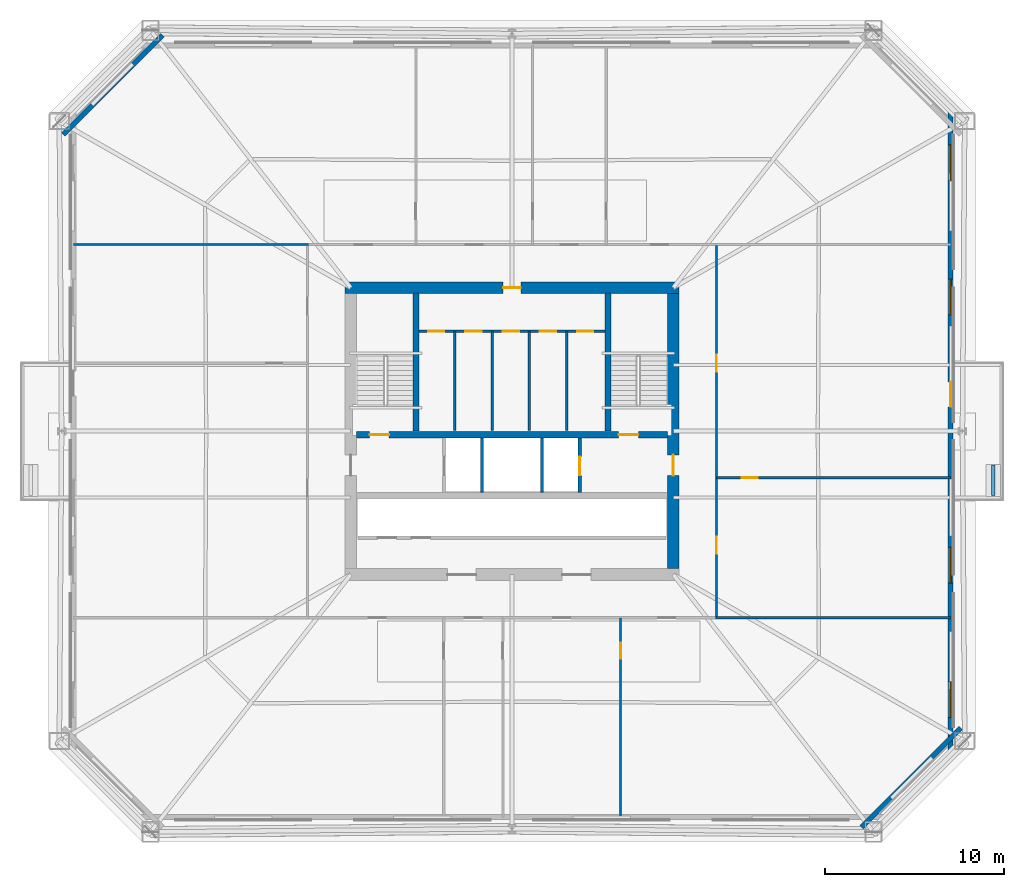
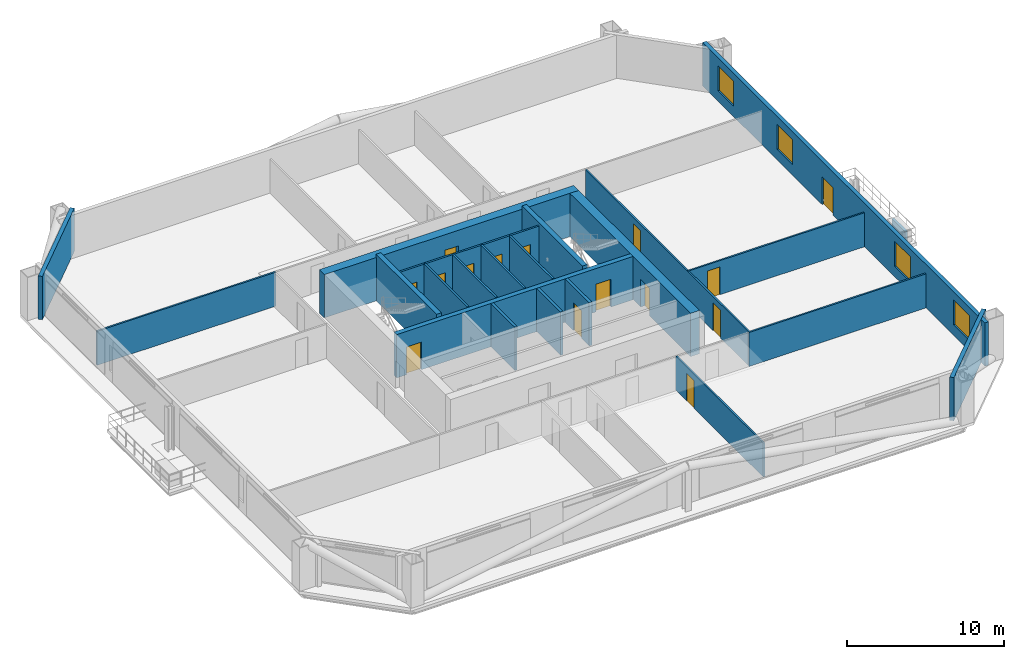
# One storey, part 6 of 10: 22 walls, 15 doors, 4 windows, 19 openings.
"""IFC4 building model written with IfcOpenShell, lengths in metres."""

from ifc_helpers import new_model, si_unit, direction, frame, frame_2d, origin, place, context, subcontext, project, spatial, rectangle, extrude, material, layer, layer_set, type_object, element, fill, save


model = new_model("IFC4")

# Units and contexts
model_context = context("Model", 3, precision=1e-05, world=origin(), true_north=direction((0.0, 1.0)))
body_context = subcontext(model_context, "Body", "Model", "MODEL_VIEW")
ifc_project = project(units=[si_unit("LENGTHUNIT", "METRE"), si_unit("AREAUNIT", "SQUARE_METRE"), si_unit("VOLUMEUNIT", "CUBIC_METRE"), si_unit("PLANEANGLEUNIT", "RADIAN"), si_unit("MASSUNIT", "GRAM", prefix="KILO")], contexts=[model_context])

# Site, building, storey
site_placement = place(None, origin())
site = spatial("IfcSite", under=ifc_project, at=site_placement, CompositionType="ELEMENT")
building_placement = place(site_placement, origin())
building = spatial("IfcBuilding", under=site, at=building_placement, Name="Caelvoria Tower", CompositionType="ELEMENT")
storey_placement = place(building_placement, frame((0.0, 0.0, 60.39990234375)))
storey = spatial("IfcBuildingStorey", under=building, at=storey_placement, Name="L15", CompositionType="ELEMENT", Elevation=60.39990234375)

# Wall
ifc_material_1 = material(Name="Bronze-Clad Concrete C40/50", Category="concrete")
ifc_layer_1 = layer(ifc_material_1, 0.179931640625, Name="Bronze-Clad Concrete C40/50")
ifc_layer_set_1 = layer_set([ifc_layer_1], Name="Architectural Planter Kerb Wall 180 - Bronze-Clad Concrete C40/50")
wall_type_1 = type_object("IfcWallType", Name="Architectural Planter Kerb Wall 180", PredefinedType="PARAPET", material=ifc_layer_set_1)
wall_1_placement = place(storey_placement, frame((72.85009765625, 28.39990234375, 0.0), z_axis=(0.0, 0.0, 1.0), x_axis=(0.0, 1.0, 0.0)))
element("IfcWall", 1, at=wall_1_placement, inside=storey, type_object=wall_type_1, Name="Tree Balcony Planter Kerb PLANTER TB-L15-E", PredefinedType="PARAPET", context=body_context, shape_type="SweptSolid", body=[
    extrude(rectangle(XDim=1.7001953125, YDim=0.179931640625, at=frame_2d((0.85009765625, 0.0))), origin(), (0.0, 0.0, 1.0), 0.880126953125),
])

# Wall, openings, doors
ifc_material_2 = material(Name="Concrete C50/60", Category="concrete")
ifc_layer_2 = layer(ifc_material_2, 0.35009765625, Name="Concrete C50/60")
ifc_layer_set_2 = layer_set([ifc_layer_2], Name="Core Internal Shear Wall 350 - Concrete C50/60")
wall_type_2 = type_object("IfcWallType", Name="Core Internal Shear Wall 350", PredefinedType="SHEAR", material=ifc_layer_set_2)
wall_2_placement = place(storey_placement, frame((37.324951171875, 31.800048828125, 0.0), z_axis=(0.0, 0.0, 1.0), x_axis=(1.0, 0.0, 0.0)))
wall_2 = element("IfcWall", 2, at=wall_2_placement, inside=storey, type_object=wall_type_2, Name="Core Shear Wall L15 M1", PredefinedType="SHEAR", context=body_context, shape_type="SweptSolid", body=[
    extrude(rectangle(XDim=17.35009765625, YDim=0.35009765625, at=frame_2d((8.675048828125, 0.0))), origin(), (0.0, 0.0, 1.0), 3.360107421875),
])
opening_1_placement = place(wall_2_placement, frame((0.72509765625, 0.0, 0.0)))
opening_1 = element("IfcOpeningElement", 3, at=opening_1_placement, cuts=wall_2, Name="Opening ID-01", PredefinedType="OPENING", context=body_context, shape_type="SweptSolid", body=[
    extrude(rectangle(XDim=1.10009765625, YDim=2.14990234375, at=frame_2d((0.550048828125, 1.074951171875))), frame((0.0, 0.18505859375, 0.0), z_axis=(0.0, -1.0, 0.0), x_axis=(1.0, 0.0, 0.0)), (0.0, 0.0, 1.0), 0.3701171875),
])
opening_2_placement = place(wall_2_placement, frame((14.625, 0.0, 0.0)))
opening_2 = element("IfcOpeningElement", 4, at=opening_2_placement, cuts=wall_2, Name="Opening ID-01", PredefinedType="OPENING", context=body_context, shape_type="SweptSolid", body=[
    extrude(rectangle(XDim=1.10009765625, YDim=2.14990234375, at=frame_2d((0.550048828125, 1.074951171875))), frame((0.0, 0.18505859375, 0.0), z_axis=(0.0, -1.0, 0.0), x_axis=(1.0, 0.0, 0.0)), (0.0, 0.0, 1.0), 0.3701171875),
])
ifc_material_3 = material(Name="Painted Hollow Steel Fire Door", Category="steel")
door_type_1 = type_object("IfcDoorType", Name="Fire Door FD90S 1100x2150", OperationType="NOTDEFINED", PredefinedType="DOOR", material=ifc_material_3)
door_1_placement = place(opening_1_placement, origin())
door_1 = element("IfcDoor", 5, at=door_1_placement, inside=storey, type_object=door_type_1, Name="Core Door DR-L15-ST1", OperationType="SINGLE_SWING_LEFT", OverallHeight=2.14990234375, OverallWidth=1.10009765625, PredefinedType="DOOR", context=body_context, shape_type="SweptSolid", body=[
    extrude(rectangle(XDim=1.10009765625, YDim=2.14990234375, at=frame_2d((0.550048828125, 1.074951171875))), frame((0.0, 0.02490234375, 0.0), z_axis=(0.0, -1.0, 0.0), x_axis=(1.0, 0.0, 0.0)), (0.0, 0.0, 1.0), 0.050048828125),
])
fill(opening_1, door_1)
door_2_placement = place(opening_2_placement, origin())
door_2 = element("IfcDoor", 6, at=door_2_placement, inside=storey, type_object=door_type_1, Name="Core Door DR-L15-ST2", OperationType="SINGLE_SWING_RIGHT", OverallHeight=2.14990234375, OverallWidth=1.10009765625, PredefinedType="DOOR", context=body_context, shape_type="SweptSolid", body=[
    extrude(rectangle(XDim=1.10009765625, YDim=2.14990234375, at=frame_2d((0.550048828125, 1.074951171875))), frame((0.0, 0.02490234375, 0.0), z_axis=(0.0, -1.0, 0.0), x_axis=(1.0, 0.0, 0.0)), (0.0, 0.0, 1.0), 0.050048828125),
])
fill(opening_2, door_2)

# Walls
for number, where, z_axis, x_axis, name in (
    (7, (40.64990234375, 32.0, 0.0), (0.0, 0.0, 1.0), (0.0, 1.0, 0.0), "Interior Partition IW-L15-ST1E"),
    (8, (51.35009765625, 32.0, 0.0), (0.0, 0.0, 1.0), (0.0, 1.0, 0.0), "Interior Partition IW-L15-ST2W"),
):
    element("IfcWall", number, at=place(storey_placement, frame(where, z_axis=z_axis, x_axis=x_axis)), inside=storey, type_object=wall_type_2, Name=name, PredefinedType="SHEAR", context=body_context, shape_type="SweptSolid", body=[
        extrude(rectangle(XDim=7.699951171875, YDim=0.35009765625, at=frame_2d((3.85009765625, 0.0))), origin(), (0.0, 0.0, 1.0), 3.60009765625),
    ])
ifc_material_4 = material(Name="Moisture-Resistant Gypsum on Steel Stud", Category="steel")
ifc_layer_3 = layer(ifc_material_4, 0.139892578125, Name="Moisture-Resistant Gypsum on Steel Stud")
ifc_layer_set_3 = layer_set([ifc_layer_3], Name="Core Sanitary Acoustic Partition Wall 140 - Moisture-Resistant Gypsum on Steel Stud")
wall_type_3 = type_object("IfcWallType", Name="Core Sanitary Acoustic Partition Wall 140", PredefinedType="PARTITIONING", material=ifc_layer_set_3)
for number, where, z_axis, x_axis, name in (
    (9, (42.81005859375, 32.050048828125, 0.0), (0.0, 0.0, 1.0), (0.0, 1.0, 0.0), "Interior Partition IW-L15-C1V0"),
    (10, (44.889892578125, 32.050048828125, 0.0), (0.0, 0.0, 1.0), (0.0, 1.0, 0.0), "Interior Partition IW-L15-C1V1"),
    (11, (46.969970703125, 32.050048828125, 0.0), (0.0, 0.0, 1.0), (0.0, 1.0, 0.0), "Interior Partition IW-L15-C1V2"),
    (12, (49.050048828125, 32.050048828125, 0.0), (0.0, 0.0, 1.0), (0.0, 1.0, 0.0), "Interior Partition IW-L15-C1V3"),
):
    element("IfcWall", number, at=place(storey_placement, frame(where, z_axis=z_axis, x_axis=x_axis)), inside=storey, type_object=wall_type_3, Name=name, PredefinedType="PARTITIONING", context=body_context, shape_type="SweptSolid", body=[
        extrude(rectangle(XDim=5.5, YDim=0.139892578125, at=frame_2d((2.75, 0.0))), origin(), (0.0, 0.0, 1.0), 3.360107421875),
    ])

# Wall, openings, doors
wall_3_placement = place(storey_placement, frame((40.800048828125, 37.580078125, 0.0), z_axis=(0.0, 0.0, 1.0), x_axis=(1.0, 0.0, 0.0)))
wall_3 = element("IfcWall", 13, at=wall_3_placement, inside=storey, type_object=wall_type_3, Name="Interior Partition IW-L15-C1H", PredefinedType="PARTITIONING", context=body_context, shape_type="SweptSolid", body=[
    extrude(rectangle(XDim=10.39990234375, YDim=0.139892578125, at=frame_2d((5.199951171875, 0.0))), origin(), (0.0, 0.0, 1.0), 3.360107421875),
])
opening_3_placement = place(wall_3_placement, frame((0.52001953125, 0.0, 0.0)))
opening_3 = element("IfcOpeningElement", 14, at=opening_3_placement, cuts=wall_3, Name="Opening ID-06", PredefinedType="OPENING", context=body_context, shape_type="SweptSolid", body=[
    extrude(rectangle(XDim=0.89990234375, YDim=2.14990234375, at=frame_2d((0.449951171875, 1.074951171875))), frame((0.0, 0.079833984375, 0.0), z_axis=(0.0, -1.0, 0.0), x_axis=(1.0, 0.0, 0.0)), (0.0, 0.0, 1.0), 0.159912109375),
])
opening_4_placement = place(wall_3_placement, frame((2.60009765625, 0.0, 0.0)))
opening_4 = element("IfcOpeningElement", 15, at=opening_4_placement, cuts=wall_3, Name="Opening ID-06", PredefinedType="OPENING", context=body_context, shape_type="SweptSolid", body=[
    extrude(rectangle(XDim=0.89990234375, YDim=2.14990234375, at=frame_2d((0.449951171875, 1.074951171875))), frame((0.0, 0.079833984375, 0.0), z_axis=(0.0, -1.0, 0.0), x_axis=(1.0, 0.0, 0.0)), (0.0, 0.0, 1.0), 0.159912109375),
])
opening_5_placement = place(wall_3_placement, frame((4.679931640625, 0.0, 0.0)))
opening_5 = element("IfcOpeningElement", 16, at=opening_5_placement, cuts=wall_3, Name="Opening ID-07", PredefinedType="OPENING", context=body_context, shape_type="SweptSolid", body=[
    extrude(rectangle(XDim=0.919921875, YDim=2.14990234375, at=frame_2d((0.4599609375, 1.074951171875))), frame((0.0, 0.079833984375, 0.0), z_axis=(0.0, -1.0, 0.0), x_axis=(1.0, 0.0, 0.0)), (0.0, 0.0, 1.0), 0.159912109375),
])
opening_6_placement = place(wall_3_placement, frame((6.760009765625, 0.0, 0.0)))
opening_6 = element("IfcOpeningElement", 17, at=opening_6_placement, cuts=wall_3, Name="Opening ID-06", PredefinedType="OPENING", context=body_context, shape_type="SweptSolid", body=[
    extrude(rectangle(XDim=0.89990234375, YDim=2.14990234375, at=frame_2d((0.449951171875, 1.074951171875))), frame((0.0, 0.079833984375, 0.0), z_axis=(0.0, -1.0, 0.0), x_axis=(1.0, 0.0, 0.0)), (0.0, 0.0, 1.0), 0.159912109375),
])
opening_7_placement = place(wall_3_placement, frame((8.840087890625, 0.0, 0.0)))
opening_7 = element("IfcOpeningElement", 18, at=opening_7_placement, cuts=wall_3, Name="Opening ID-06", PredefinedType="OPENING", context=body_context, shape_type="SweptSolid", body=[
    extrude(rectangle(XDim=0.89990234375, YDim=2.14990234375, at=frame_2d((0.449951171875, 1.074951171875))), frame((0.0, 0.079833984375, 0.0), z_axis=(0.0, -1.0, 0.0), x_axis=(1.0, 0.0, 0.0)), (0.0, 0.0, 1.0), 0.159912109375),
])
ifc_material_5 = material(Name="Engineered Andean Oak Accessible Door", Category="wood")
door_type_2 = type_object("IfcDoorType", Name="Accessible WC Door 950x2150", OperationType="NOTDEFINED", PredefinedType="DOOR", material=ifc_material_5)
door_3_placement = place(opening_5_placement, origin())
door_3 = element("IfcDoor", 19, at=door_3_placement, inside=storey, type_object=door_type_2, Name="Interior Door DR-L15-C1-3", OperationType="SINGLE_SWING_LEFT", OverallHeight=2.14990234375, OverallWidth=0.919921875, PredefinedType="DOOR", context=body_context, shape_type="SweptSolid", body=[
    extrude(rectangle(XDim=0.919921875, YDim=2.14990234375, at=frame_2d((0.4599609375, 1.074951171875))), frame((0.0, 0.02490234375, 0.0), z_axis=(0.0, -1.0, 0.0), x_axis=(1.0, 0.0, 0.0)), (0.0, 0.0, 1.0), 0.050048828125),
])
fill(opening_5, door_3)
ifc_material_6 = material(Name="Engineered Andean Oak Veneer Door", Category="wood")
door_type_3 = type_object("IfcDoorType", Name="Interior Timber Door 900x2150", OperationType="NOTDEFINED", PredefinedType="DOOR", material=ifc_material_6)
door_4_placement = place(opening_3_placement, origin())
door_4 = element("IfcDoor", 20, at=door_4_placement, inside=storey, type_object=door_type_3, Name="Interior Door DR-L15-C1-1", OperationType="SINGLE_SWING_LEFT", OverallHeight=2.14990234375, OverallWidth=0.89990234375, PredefinedType="DOOR", context=body_context, shape_type="SweptSolid", body=[
    extrude(rectangle(XDim=0.89990234375, YDim=2.14990234375, at=frame_2d((0.449951171875, 1.074951171875))), frame((0.0, 0.02490234375, 0.0), z_axis=(0.0, -1.0, 0.0), x_axis=(1.0, 0.0, 0.0)), (0.0, 0.0, 1.0), 0.050048828125),
])
fill(opening_3, door_4)
door_5_placement = place(opening_4_placement, origin())
door_5 = element("IfcDoor", 21, at=door_5_placement, inside=storey, type_object=door_type_3, Name="Interior Door DR-L15-C1-2", OperationType="SINGLE_SWING_RIGHT", OverallHeight=2.14990234375, OverallWidth=0.89990234375, PredefinedType="DOOR", context=body_context, shape_type="SweptSolid", body=[
    extrude(rectangle(XDim=0.89990234375, YDim=2.14990234375, at=frame_2d((0.449951171875, 1.074951171875))), frame((0.0, 0.02490234375, 0.0), z_axis=(0.0, -1.0, 0.0), x_axis=(1.0, 0.0, 0.0)), (0.0, 0.0, 1.0), 0.050048828125),
])
fill(opening_4, door_5)
door_6_placement = place(opening_6_placement, origin())
door_6 = element("IfcDoor", 22, at=door_6_placement, inside=storey, type_object=door_type_3, Name="Interior Door DR-L15-C1-4", OperationType="SINGLE_SWING_RIGHT", OverallHeight=2.14990234375, OverallWidth=0.89990234375, PredefinedType="DOOR", context=body_context, shape_type="SweptSolid", body=[
    extrude(rectangle(XDim=0.89990234375, YDim=2.14990234375, at=frame_2d((0.449951171875, 1.074951171875))), frame((0.0, 0.02490234375, 0.0), z_axis=(0.0, -1.0, 0.0), x_axis=(1.0, 0.0, 0.0)), (0.0, 0.0, 1.0), 0.050048828125),
])
fill(opening_6, door_6)
door_7_placement = place(opening_7_placement, origin())
door_7 = element("IfcDoor", 23, at=door_7_placement, inside=storey, type_object=door_type_3, Name="Interior Door DR-L15-C1-5", OperationType="SINGLE_SWING_LEFT", OverallHeight=2.14990234375, OverallWidth=0.89990234375, PredefinedType="DOOR", context=body_context, shape_type="SweptSolid", body=[
    extrude(rectangle(XDim=0.89990234375, YDim=2.14990234375, at=frame_2d((0.449951171875, 1.074951171875))), frame((0.0, 0.02490234375, 0.0), z_axis=(0.0, -1.0, 0.0), x_axis=(1.0, 0.0, 0.0)), (0.0, 0.0, 1.0), 0.050048828125),
])
fill(opening_7, door_7)

# Wall
ifc_material_7 = material(Name="Precast Concrete C40/50 with Bronze Cladding", Category="concrete")
ifc_layer_4 = layer(ifc_material_7, 0.280029296875, Name="Precast Concrete C40/50 with Bronze Cladding")
ifc_layer_set_4 = layer_set([ifc_layer_4], Name="Exterior Precast Concrete C40/50 Bronze-Clad Facade Wall 280 - Precast Concrete C40/50 with Bronze Cladding")
wall_type_4 = type_object("IfcWallType", Name="Exterior Precast Concrete C40/50 Bronze-Clad Facade Wall 280", PredefinedType="STANDARD", material=ifc_layer_set_4)
wall_4_placement = place(storey_placement, frame((65.50439453125, 9.906005859375, 0.0), z_axis=(0.0, 0.0, 1.0), x_axis=(0.707106781187, 0.707106781187, 0.0)))
element("IfcWall", 24, at=wall_4_placement, inside=storey, type_object=wall_type_4, Name="Exterior Facade Wall L15-E1", PredefinedType="STANDARD", context=body_context, shape_type="SweptSolid", body=[
    extrude(rectangle(XDim=7.834228515625, YDim=0.280029296875, at=frame_2d((3.9169921875, 0.0))), origin(), (0.0, 0.0, 1.0), 3.360107421875),
])

# Wall, openings, windows, door
wall_5_placement = place(storey_placement, frame((70.469970703125, 14.06005859375, 0.0), z_axis=(0.0, 0.0, 1.0), x_axis=(0.0, 1.0, 0.0)))
wall_5 = element("IfcWall", 25, at=wall_5_placement, inside=storey, type_object=wall_type_4, Name="Exterior Facade Wall L15-E2", PredefinedType="STANDARD", context=body_context, shape_type="SweptSolid", body=[
    extrude(rectangle(XDim=35.8798828125, YDim=0.280029296875, at=frame_2d((17.93994140625, 0.0))), origin(), (0.0, 0.0, 1.0), 3.360107421875),
])
opening_8_placement = place(wall_5_placement, frame((19.2900390625, 0.0, 0.0)))
opening_8 = element("IfcOpeningElement", 26, at=opening_8_placement, cuts=wall_5, Name="Opening ED-04", PredefinedType="OPENING", context=body_context, shape_type="SweptSolid", body=[
    extrude(rectangle(XDim=1.39990234375, YDim=2.14990234375, at=frame_2d((0.699951171875, 1.074951171875))), frame((0.0, 0.14990234375, 0.0), z_axis=(0.0, -1.0, 0.0), x_axis=(1.0, 0.0, 0.0)), (0.0, 0.0, 1.0), 0.300048828125),
])
opening_9_placement = place(wall_5_placement, frame((1.97119140625, 0.0, 0.800048828125)))
opening_9 = element("IfcOpeningElement", 27, at=opening_9_placement, cuts=wall_5, Name="Opening WN-01", PredefinedType="OPENING", context=body_context, shape_type="SweptSolid", body=[
    extrude(rectangle(XDim=2.0, YDim=1.949951171875, at=frame_2d((1.0, 0.97509765625))), frame((0.0, 0.14990234375, 0.0), z_axis=(0.0, -1.0, 0.0), x_axis=(1.0, 0.0, 0.0)), (0.0, 0.0, 1.0), 0.300048828125),
])
opening_10_placement = place(wall_5_placement, frame((9.45556640625, 0.0, 0.800048828125)))
opening_10 = element("IfcOpeningElement", 28, at=opening_10_placement, cuts=wall_5, Name="Opening WN-01", PredefinedType="OPENING", context=body_context, shape_type="SweptSolid", body=[
    extrude(rectangle(XDim=2.0, YDim=1.949951171875, at=frame_2d((1.0, 0.97509765625))), frame((0.0, 0.14990234375, 0.0), z_axis=(0.0, -1.0, 0.0), x_axis=(1.0, 0.0, 0.0)), (0.0, 0.0, 1.0), 0.300048828125),
])
opening_11_placement = place(wall_5_placement, frame((24.42431640625, 0.0, 0.800048828125)))
opening_11 = element("IfcOpeningElement", 29, at=opening_11_placement, cuts=wall_5, Name="Opening WN-01", PredefinedType="OPENING", context=body_context, shape_type="SweptSolid", body=[
    extrude(rectangle(XDim=2.0, YDim=1.949951171875, at=frame_2d((1.0, 0.97509765625))), frame((0.0, 0.14990234375, 0.0), z_axis=(0.0, -1.0, 0.0), x_axis=(1.0, 0.0, 0.0)), (0.0, 0.0, 1.0), 0.300048828125),
])
opening_12_placement = place(wall_5_placement, frame((31.908935546875, 0.0, 0.800048828125)))
opening_12 = element("IfcOpeningElement", 30, at=opening_12_placement, cuts=wall_5, Name="Opening WN-01", PredefinedType="OPENING", context=body_context, shape_type="SweptSolid", body=[
    extrude(rectangle(XDim=2.0, YDim=1.949951171875, at=frame_2d((1.0, 0.97509765625))), frame((0.0, 0.14990234375, 0.0), z_axis=(0.0, -1.0, 0.0), x_axis=(1.0, 0.0, 0.0)), (0.0, 0.0, 1.0), 0.300048828125),
])
ifc_material_8 = material(Name="Low-E Tinted Glass in Bronze Aluminium Frame", Category="aluminium")
window_type = type_object("IfcWindowType", Name="Tower Office Vision Window 2000x1950", PartitioningType="SINGLE_PANEL", PredefinedType="WINDOW", material=ifc_material_8)
window_1_placement = place(opening_9_placement, origin())
window_1 = element("IfcWindow", 31, at=window_1_placement, inside=storey, type_object=window_type, Name="Facade Window L15-E2-00", OverallHeight=1.949951171875, OverallWidth=2.0, PartitioningType="SINGLE_PANEL", PredefinedType="WINDOW", context=body_context, shape_type="SweptSolid", body=[
    extrude(rectangle(XDim=2.0, YDim=1.949951171875, at=frame_2d((1.0, 0.97509765625))), frame((0.0, 0.030029296875, 0.0), z_axis=(0.0, -1.0, 0.0), x_axis=(1.0, 0.0, 0.0)), (0.0, 0.0, 1.0), 0.06005859375),
])
fill(opening_9, window_1)
window_2_placement = place(opening_10_placement, origin())
window_2 = element("IfcWindow", 32, at=window_2_placement, inside=storey, type_object=window_type, Name="Facade Window L15-E2-02", OverallHeight=1.949951171875, OverallWidth=2.0, PartitioningType="SINGLE_PANEL", PredefinedType="WINDOW", context=body_context, shape_type="SweptSolid", body=[
    extrude(rectangle(XDim=2.0, YDim=1.949951171875, at=frame_2d((1.0, 0.97509765625))), frame((0.0, 0.030029296875, 0.0), z_axis=(0.0, -1.0, 0.0), x_axis=(1.0, 0.0, 0.0)), (0.0, 0.0, 1.0), 0.06005859375),
])
fill(opening_10, window_2)
window_3_placement = place(opening_11_placement, origin())
window_3 = element("IfcWindow", 33, at=window_3_placement, inside=storey, type_object=window_type, Name="Facade Window L15-E2-06", OverallHeight=1.949951171875, OverallWidth=2.0, PartitioningType="SINGLE_PANEL", PredefinedType="WINDOW", context=body_context, shape_type="SweptSolid", body=[
    extrude(rectangle(XDim=2.0, YDim=1.949951171875, at=frame_2d((1.0, 0.97509765625))), frame((0.0, 0.030029296875, 0.0), z_axis=(0.0, -1.0, 0.0), x_axis=(1.0, 0.0, 0.0)), (0.0, 0.0, 1.0), 0.06005859375),
])
fill(opening_11, window_3)
window_4_placement = place(opening_12_placement, origin())
window_4 = element("IfcWindow", 34, at=window_4_placement, inside=storey, type_object=window_type, Name="Facade Window L15-E2-08", OverallHeight=1.949951171875, OverallWidth=2.0, PartitioningType="SINGLE_PANEL", PredefinedType="WINDOW", context=body_context, shape_type="SweptSolid", body=[
    extrude(rectangle(XDim=2.0, YDim=1.949951171875, at=frame_2d((1.0, 0.97509765625))), frame((0.0, 0.030029296875, 0.0), z_axis=(0.0, -1.0, 0.0), x_axis=(1.0, 0.0, 0.0)), (0.0, 0.0, 1.0), 0.06005859375),
])
fill(opening_12, window_4)
ifc_material_9 = material(Name="Anodised Bronze Aluminium and Laminated Glass", Category="aluminium")
door_type_4 = type_object("IfcDoorType", Name="Tree Balcony Glazed Door 1400x2150", OperationType="NOTDEFINED", PredefinedType="DOOR", material=ifc_material_9)
door_8_placement = place(opening_8_placement, origin())
door_8 = element("IfcDoor", 35, at=door_8_placement, inside=storey, type_object=door_type_4, Name="Tree Balcony Door L15-E", OperationType="SINGLE_SWING_RIGHT", OverallHeight=2.14990234375, OverallWidth=1.39990234375, PredefinedType="DOOR", context=body_context, shape_type="SweptSolid", body=[
    extrude(rectangle(XDim=1.39990234375, YDim=2.14990234375, at=frame_2d((0.699951171875, 1.074951171875))), frame((0.0, 0.02490234375, 0.0), z_axis=(0.0, -1.0, 0.0), x_axis=(1.0, 0.0, 0.0)), (0.0, 0.0, 1.0), 0.050048828125),
])
fill(opening_8, door_8)

# Walls
wall_6_placement = place(storey_placement, frame((26.49560546875, 54.093994140625, 0.0), z_axis=(0.0, 0.0, 1.0), x_axis=(-0.707106781187, -0.707106781187, 0.0)))
element("IfcWall", 36, at=wall_6_placement, inside=storey, type_object=wall_type_4, Name="Exterior Facade Wall L15-E5", PredefinedType="STANDARD", context=body_context, shape_type="SweptSolid", body=[
    extrude(rectangle(XDim=7.834228515625, YDim=0.280029296875, at=frame_2d((3.9169921875, 0.0))), origin(), (0.0, 0.0, 1.0), 3.360107421875),
])
ifc_material_10 = material(Name="Concrete Block and Fireboard Assembly", Category="concrete")
ifc_layer_5 = layer(ifc_material_10, 0.179931640625, Name="Concrete Block and Fireboard Assembly")
ifc_layer_set_5 = layer_set([ifc_layer_5], Name="Fire-Rated Hoistway Partition Wall 180 - Concrete Block and Fireboard Assembly")
wall_type_5 = type_object("IfcWallType", Name="Fire-Rated Hoistway Partition Wall 180", PredefinedType="PARTITIONING", material=ifc_layer_set_5)
for number, where, z_axis, x_axis, name in (
    (37, (44.320068359375, 28.580078125, 0.0), (0.0, 0.0, 1.0), (0.0, 1.0, 0.0), "Interior Partition IW-L15-SV1W"),
    (38, (47.679931640625, 28.580078125, 0.0), (0.0, 0.0, 1.0), (0.0, 1.0, 0.0), "Interior Partition IW-L15-SV1E"),
):
    element("IfcWall", number, at=place(storey_placement, frame(where, z_axis=z_axis, x_axis=x_axis)), inside=storey, type_object=wall_type_5, Name=name, PredefinedType="PARTITIONING", context=body_context, shape_type="SweptSolid", body=[
        extrude(rectangle(XDim=3.0400390625, YDim=0.179931640625, at=frame_2d((1.52001953125, 0.0))), origin(), (0.0, 0.0, 1.0), 3.360107421875),
    ])

# Wall, opening, door
ifc_layer_6 = layer(ifc_material_10, 0.199951171875, Name="Concrete Block and Fireboard Assembly")
ifc_layer_set_6 = layer_set([ifc_layer_6], Name="Fire-Rated Shaft and Core Partition Wall 200 - Concrete Block and Fireboard Assembly")
wall_type_6 = type_object("IfcWallType", Name="Fire-Rated Shaft and Core Partition Wall 200", PredefinedType="PARTITIONING", material=ifc_layer_set_6)
wall_7_placement = place(storey_placement, frame((49.780029296875, 28.580078125, 0.0), z_axis=(0.0, 0.0, 1.0), x_axis=(0.0, 1.0, 0.0)))
wall_7 = element("IfcWall", 39, at=wall_7_placement, inside=storey, type_object=wall_type_6, Name="Interior Partition IW-L15-LF2E", PredefinedType="PARTITIONING", context=body_context, shape_type="SweptSolid", body=[
    extrude(rectangle(XDim=3.0400390625, YDim=0.199951171875, at=frame_2d((1.52001953125, 0.0))), origin(), (0.0, 0.0, 1.0), 3.360107421875),
])
opening_13_placement = place(wall_7_placement, frame((0.949951171875, 0.0, 0.0)))
opening_13 = element("IfcOpeningElement", 40, at=opening_13_placement, cuts=wall_7, Name="Opening LD-01", PredefinedType="OPENING", context=body_context, shape_type="SweptSolid", body=[
    extrude(rectangle(XDim=1.050048828125, YDim=2.14990234375, at=frame_2d((0.52490234375, 1.074951171875))), frame((0.0, 0.10986328125, 0.0), z_axis=(0.0, -1.0, 0.0), x_axis=(1.0, 0.0, 0.0)), (0.0, 0.0, 1.0), 0.219970703125),
])
ifc_material_11 = material(Name="Brushed Bronze Stainless Sliding Landing Door", Category="aluminium")
door_type_5 = type_object("IfcDoorType", Name="Lift Landing Sliding Door 1100x2150", OperationType="NOTDEFINED", PredefinedType="DOOR", material=ifc_material_11)
door_9_placement = place(opening_13_placement, origin())
door_9 = element("IfcDoor", 41, at=door_9_placement, inside=storey, type_object=door_type_5, Name="Interior Door LD-L15-LF2", OperationType="SLIDING_TO_RIGHT", OverallHeight=2.14990234375, OverallWidth=1.050048828125, PredefinedType="DOOR", context=body_context, shape_type="SweptSolid", body=[
    extrude(rectangle(XDim=1.050048828125, YDim=2.14990234375, at=frame_2d((0.52490234375, 1.074951171875))), frame((0.0, 0.02490234375, 0.0), z_axis=(0.0, -1.0, 0.0), x_axis=(1.0, 0.0, 0.0)), (0.0, 0.0, 1.0), 0.050048828125),
])
fill(opening_13, door_9)

ifc_material_12 = material(Name="Concrete C60/75", Category="concrete")
ifc_layer_7 = layer(ifc_material_12, 0.64990234375, Name="Concrete C60/75")
ifc_layer_set_7 = layer_set([ifc_layer_7], Name="Lower Core Shear Wall 650 - Concrete C60/75")
wall_type_7 = type_object("IfcWallType", Name="Lower Core Shear Wall 650", PredefinedType="SHEAR", material=ifc_layer_set_7)
wall_8_placement = place(storey_placement, frame((36.675048828125, 40.0, 0.0), z_axis=(0.0, 0.0, 1.0), x_axis=(1.0, 0.0, 0.0)))
wall_8 = element("IfcWall", 42, at=wall_8_placement, inside=storey, type_object=wall_type_7, Name="Core Shear Wall L15 N", PredefinedType="SHEAR", context=body_context, shape_type="SweptSolid", body=[
    extrude(rectangle(XDim=18.64990234375, YDim=0.64990234375, at=frame_2d((9.324951171875, 0.0))), origin(), (0.0, 0.0, 1.0), 3.360107421875),
])
opening_14_placement = place(wall_8_placement, frame((8.824951171875, 0.0, 0.0)))
opening_14 = element("IfcOpeningElement", 43, at=opening_14_placement, cuts=wall_8, Name="Opening ID-03", PredefinedType="OPENING", context=body_context, shape_type="SweptSolid", body=[
    extrude(rectangle(XDim=1.0, YDim=2.14990234375, at=frame_2d((0.5, 1.074951171875))), frame((0.0, 0.3349609375, 0.0), z_axis=(0.0, -1.0, 0.0), x_axis=(1.0, 0.0, 0.0)), (0.0, 0.0, 1.0), 0.669921875),
])
door_type_6 = type_object("IfcDoorType", Name="Fire Door FD60S 1000x2150", OperationType="NOTDEFINED", PredefinedType="DOOR", material=ifc_material_3)
door_10_placement = place(opening_14_placement, origin())
door_10 = element("IfcDoor", 44, at=door_10_placement, inside=storey, type_object=door_type_6, Name="Core Door DR-L15-WC-MAIN", OperationType="SINGLE_SWING_RIGHT", OverallHeight=2.14990234375, OverallWidth=1.0, PredefinedType="DOOR", context=body_context, shape_type="SweptSolid", body=[
    extrude(rectangle(XDim=1.0, YDim=2.14990234375, at=frame_2d((0.5, 1.074951171875))), frame((0.0, 0.02490234375, 0.0), z_axis=(0.0, -1.0, 0.0), x_axis=(1.0, 0.0, 0.0)), (0.0, 0.0, 1.0), 0.050048828125),
])
fill(opening_14, door_10)

wall_9_placement = place(storey_placement, frame((55.0, 24.324951171875, 0.0), z_axis=(0.0, 0.0, 1.0), x_axis=(0.0, 1.0, 0.0)))
wall_9 = element("IfcWall", 45, at=wall_9_placement, inside=storey, type_object=wall_type_7, Name="Core Shear Wall L15 E", PredefinedType="SHEAR", context=body_context, shape_type="SweptSolid", body=[
    extrude(rectangle(XDim=15.35009765625, YDim=0.64990234375, at=frame_2d((7.675048828125, 0.0))), origin(), (0.0, 0.0, 1.0), 3.360107421875),
])
opening_15_placement = place(wall_9_placement, frame((5.199951171875, 0.0, 0.0)))
opening_15 = element("IfcOpeningElement", 46, at=opening_15_placement, cuts=wall_9, Name="Opening ID-02", PredefinedType="OPENING", context=body_context, shape_type="SweptSolid", body=[
    extrude(rectangle(XDim=1.14990234375, YDim=2.14990234375, at=frame_2d((0.574951171875, 1.074951171875))), frame((0.0, 0.3349609375, 0.0), z_axis=(0.0, -1.0, 0.0), x_axis=(1.0, 0.0, 0.0)), (0.0, 0.0, 1.0), 0.669921875),
])
door_type_7 = type_object("IfcDoorType", Name="Fire Door FD60S 1150x2150", OperationType="NOTDEFINED", PredefinedType="DOOR", material=ifc_material_3)
door_11_placement = place(opening_15_placement, origin())
door_11 = element("IfcDoor", 47, at=door_11_placement, inside=storey, type_object=door_type_7, Name="Core Door DR-L15-FFLE-OUT", OperationType="SINGLE_SWING_RIGHT", OverallHeight=2.14990234375, OverallWidth=1.14990234375, PredefinedType="DOOR", context=body_context, shape_type="SweptSolid", body=[
    extrude(rectangle(XDim=1.14990234375, YDim=2.14990234375, at=frame_2d((0.574951171875, 1.074951171875))), frame((0.0, 0.02490234375, 0.0), z_axis=(0.0, -1.0, 0.0), x_axis=(1.0, 0.0, 0.0)), (0.0, 0.0, 1.0), 0.050048828125),
])
fill(opening_15, door_11)

ifc_material_13 = material(Name="Acoustic Gypsum Board on Light-Gauge Stud", Category="gypsum")
ifc_layer_8 = layer(ifc_material_13, 0.1201171875, Name="Acoustic Gypsum Board on Light-Gauge Stud")
ifc_layer_set_8 = layer_set([ifc_layer_8], Name="Tenant Suite Acoustic Partition Wall 120 - Acoustic Gypsum Board on Light-Gauge Stud")
wall_type_8 = type_object("IfcWallType", Name="Tenant Suite Acoustic Partition Wall 120", PredefinedType="PARTITIONING", material=ifc_layer_set_8)
wall_10_placement = place(storey_placement, frame((52.05810546875, 21.590087890625, 0.0), z_axis=(0.0, 0.0, 1.0), x_axis=(0.0, -1.0, 0.0)))
wall_10 = element("IfcWall", 48, at=wall_10_placement, inside=storey, type_object=wall_type_8, Name="Interior Partition IW-L15-SD-02-0", PredefinedType="PARTITIONING", context=body_context, shape_type="SweptSolid", body=[
    extrude(rectangle(XDim=11.110107421875, YDim=0.1201171875, at=frame_2d((5.55517578125, 0.0))), origin(), (0.0, 0.0, 1.0), 2.64013671875),
])
opening_16_placement = place(wall_10_placement, frame((1.39990234375, 0.0, 0.0)))
opening_16 = element("IfcOpeningElement", 49, at=opening_16_placement, cuts=wall_10, Name="Opening ID-06", PredefinedType="OPENING", context=body_context, shape_type="SweptSolid", body=[
    extrude(rectangle(XDim=0.89990234375, YDim=2.14990234375, at=frame_2d((0.449951171875, 1.074951171875))), frame((0.0, 0.070068359375, 0.0), z_axis=(0.0, -1.0, 0.0), x_axis=(1.0, 0.0, 0.0)), (0.0, 0.0, 1.0), 0.14013671875),
])
door_12_placement = place(opening_16_placement, origin())
door_12 = element("IfcDoor", 50, at=door_12_placement, inside=storey, type_object=door_type_3, Name="Interior Door DR-L15-SM-02-0", OperationType="SINGLE_SWING_RIGHT", OverallHeight=2.14990234375, OverallWidth=0.89990234375, PredefinedType="DOOR", context=body_context, shape_type="SweptSolid", body=[
    extrude(rectangle(XDim=0.89990234375, YDim=2.14990234375, at=frame_2d((0.449951171875, 1.074951171875))), frame((0.0, 0.02490234375, 0.0), z_axis=(0.0, -1.0, 0.0), x_axis=(1.0, 0.0, 0.0)), (0.0, 0.0, 1.0), 0.050048828125),
])
fill(opening_16, door_12)

wall_11_placement = place(storey_placement, frame((57.409912109375, 29.403564453125, 0.0), z_axis=(0.0, 0.0, 1.0), x_axis=(1.0, 0.0, 0.0)))
wall_11 = element("IfcWall", 51, at=wall_11_placement, inside=storey, type_object=wall_type_8, Name="Interior Partition IW-L15-ED-00-0", PredefinedType="PARTITIONING", context=body_context, shape_type="SweptSolid", body=[
    extrude(rectangle(XDim=13.06005859375, YDim=0.1201171875, at=frame_2d((6.530029296875, 0.0))), origin(), (0.0, 0.0, 1.0), 2.64013671875),
])
opening_17_placement = place(wall_11_placement, frame((1.39990234375, 0.0, 0.0)))
opening_17 = element("IfcOpeningElement", 52, at=opening_17_placement, cuts=wall_11, Name="Opening ID-06", PredefinedType="OPENING", context=body_context, shape_type="SweptSolid", body=[
    extrude(rectangle(XDim=0.89990234375, YDim=2.14990234375, at=frame_2d((0.449951171875, 1.074951171875))), frame((0.0, 0.070068359375, 0.0), z_axis=(0.0, -1.0, 0.0), x_axis=(1.0, 0.0, 0.0)), (0.0, 0.0, 1.0), 0.14013671875),
])
door_13_placement = place(opening_17_placement, origin())
door_13 = element("IfcDoor", 53, at=door_13_placement, inside=storey, type_object=door_type_3, Name="Interior Door DR-L15-EM-00-0", OperationType="SINGLE_SWING_RIGHT", OverallHeight=2.14990234375, OverallWidth=0.89990234375, PredefinedType="DOOR", context=body_context, shape_type="SweptSolid", body=[
    extrude(rectangle(XDim=0.89990234375, YDim=2.14990234375, at=frame_2d((0.449951171875, 1.074951171875))), frame((0.0, 0.02490234375, 0.0), z_axis=(0.0, -1.0, 0.0), x_axis=(1.0, 0.0, 0.0)), (0.0, 0.0, 1.0), 0.050048828125),
])
fill(opening_17, door_13)

# Wall, openings, doors
wall_12_placement = place(storey_placement, frame((57.409912109375, 21.64990234375, 0.0), z_axis=(0.0, 0.0, 1.0), x_axis=(0.0, 1.0, 0.0)))
wall_12 = element("IfcWall", 54, at=wall_12_placement, inside=storey, type_object=wall_type_8, Name="Interior Partition IW-L15-ECW-0", PredefinedType="PARTITIONING", context=body_context, shape_type="SweptSolid", body=[
    extrude(rectangle(XDim=20.7001953125, YDim=0.1201171875, at=frame_2d((10.35009765625, 0.0))), origin(), (0.0, 0.0, 1.0), 2.64013671875),
])
opening_18_placement = place(wall_12_placement, frame((3.501708984375, 0.0, 0.0)))
opening_18 = element("IfcOpeningElement", 55, at=opening_18_placement, cuts=wall_12, Name="Opening ID-05", PredefinedType="OPENING", context=body_context, shape_type="SweptSolid", body=[
    extrude(rectangle(XDim=0.949951171875, YDim=2.14990234375, at=frame_2d((0.47509765625, 1.074951171875))), frame((0.0, 0.070068359375, 0.0), z_axis=(0.0, -1.0, 0.0), x_axis=(1.0, 0.0, 0.0)), (0.0, 0.0, 1.0), 0.14013671875),
])
opening_19_placement = place(wall_12_placement, frame((13.65185546875, 0.0, 0.0)))
opening_19 = element("IfcOpeningElement", 56, at=opening_19_placement, cuts=wall_12, Name="Opening ID-05", PredefinedType="OPENING", context=body_context, shape_type="SweptSolid", body=[
    extrude(rectangle(XDim=0.949951171875, YDim=2.14990234375, at=frame_2d((0.47509765625, 1.074951171875))), frame((0.0, 0.070068359375, 0.0), z_axis=(0.0, -1.0, 0.0), x_axis=(1.0, 0.0, 0.0)), (0.0, 0.0, 1.0), 0.14013671875),
])
door_type_8 = type_object("IfcDoorType", Name="Interior Timber Door 950x2150", OperationType="NOTDEFINED", PredefinedType="DOOR", material=ifc_material_6)
door_14_placement = place(opening_18_placement, origin())
door_14 = element("IfcDoor", 57, at=door_14_placement, inside=storey, type_object=door_type_8, Name="Interior Door DR-L15-EC-00-0", OperationType="SINGLE_SWING_RIGHT", OverallHeight=2.14990234375, OverallWidth=0.949951171875, PredefinedType="DOOR", context=body_context, shape_type="SweptSolid", body=[
    extrude(rectangle(XDim=0.949951171875, YDim=2.14990234375, at=frame_2d((0.47509765625, 1.074951171875))), frame((0.0, 0.02490234375, 0.0), z_axis=(0.0, -1.0, 0.0), x_axis=(1.0, 0.0, 0.0)), (0.0, 0.0, 1.0), 0.050048828125),
])
fill(opening_18, door_14)
door_15_placement = place(opening_19_placement, origin())
door_15 = element("IfcDoor", 58, at=door_15_placement, inside=storey, type_object=door_type_8, Name="Interior Door DR-L15-EC-01-0", OperationType="SINGLE_SWING_LEFT", OverallHeight=2.14990234375, OverallWidth=0.949951171875, PredefinedType="DOOR", context=body_context, shape_type="SweptSolid", body=[
    extrude(rectangle(XDim=0.949951171875, YDim=2.14990234375, at=frame_2d((0.47509765625, 1.074951171875))), frame((0.0, 0.02490234375, 0.0), z_axis=(0.0, -1.0, 0.0), x_axis=(1.0, 0.0, 0.0)), (0.0, 0.0, 1.0), 0.050048828125),
])
fill(opening_19, door_15)

# Walls
for number, where, z_axis, x_axis, name in (
    (59, (57.35009765625, 21.590087890625, 0.0), (0.0, 0.0, 1.0), (1.0, 0.0, 0.0), "Interior Partition IW-L15-BSE-0"),
    (60, (34.64990234375, 42.409912109375, 0.0), (0.0, 0.0, 1.0), (-1.0, 0.0, 0.0), "Interior Partition IW-L15-BNW-0"),
):
    element("IfcWall", number, at=place(storey_placement, frame(where, z_axis=z_axis, x_axis=x_axis)), inside=storey, type_object=wall_type_8, Name=name, PredefinedType="PARTITIONING", context=body_context, shape_type="SweptSolid", body=[
        extrude(rectangle(XDim=13.119873046875, YDim=0.1201171875, at=frame_2d((6.56005859375, 0.0))), origin(), (0.0, 0.0, 1.0), 2.64013671875),
    ])

save(model, "model.ifc")
